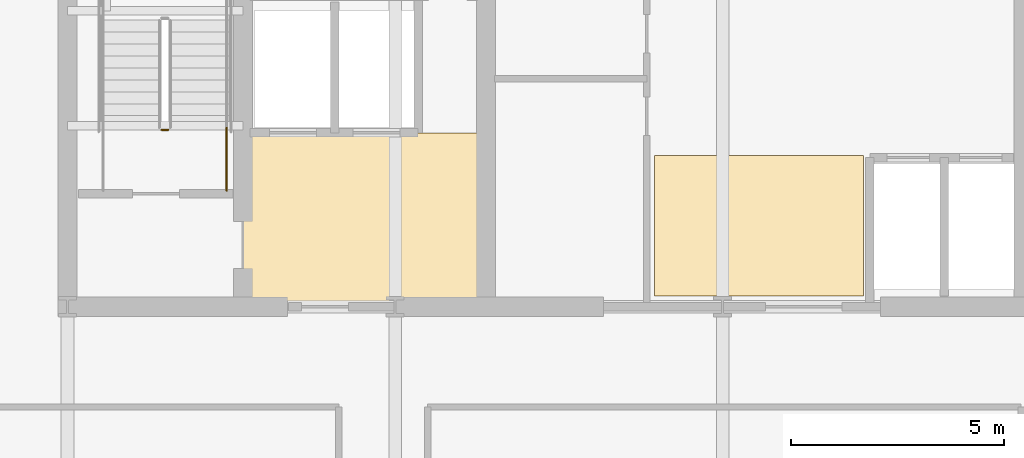
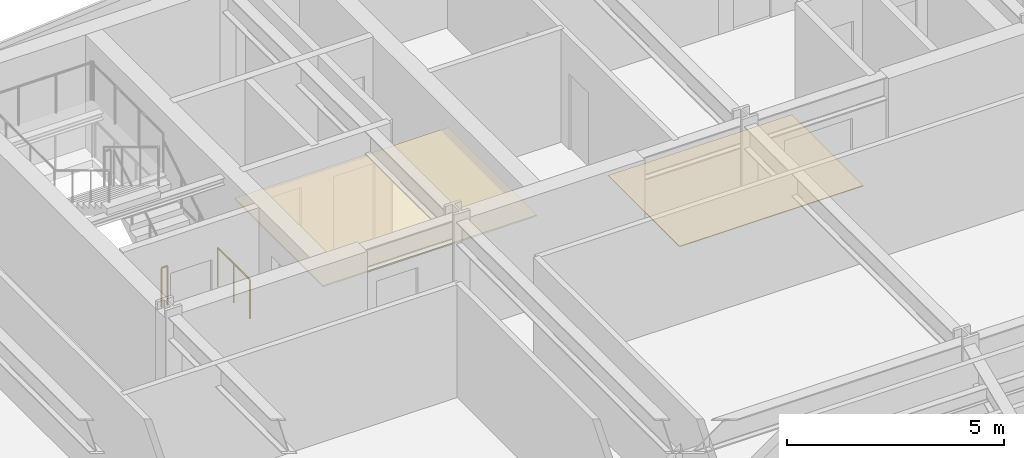
# One storey, part 28 of 32: 2 coverings, 2 railings.
"""IFC4 building model written with IfcOpenShell, lengths in metres."""

from ifc_helpers import new_model, si_unit, direction, frame, origin, origin_2d, place, context, subcontext, project, spatial, polyline, circle, outline, extrude, material, layer, layer_set, type_object, element, save


model = new_model("IFC4")

# Units and contexts
model_context = context("Model", 3, precision=1e-05, world=origin(), true_north=direction((0.0, 1.0)))
body_context = subcontext(model_context, "Body", "Model", "MODEL_VIEW")
ifc_project = project(units=[si_unit("LENGTHUNIT", "METRE"), si_unit("AREAUNIT", "SQUARE_METRE"), si_unit("VOLUMEUNIT", "CUBIC_METRE"), si_unit("PLANEANGLEUNIT", "RADIAN"), si_unit("MASSUNIT", "GRAM", prefix="KILO")], contexts=[model_context])

# Site, building, storey
site_placement = place(None, origin())
site = spatial("IfcSite", under=ifc_project, at=site_placement, CompositionType="ELEMENT")
building_placement = place(site_placement, origin())
building = spatial("IfcBuilding", under=site, at=building_placement, Name="Yelkora Congress Tower", CompositionType="ELEMENT")
storey_placement = place(building_placement, frame((0.0, 0.0, 96.5)))
storey = spatial("IfcBuildingStorey", under=building, at=storey_placement, Name="L25", CompositionType="ELEMENT", Elevation=96.5)

# Coverings
ifc_material_1 = material(Name="Perforated mineral-fibre acoustic ceiling", Category="gypsum")
ifc_layer_1 = layer(ifc_material_1, 0.0400390625)
ifc_layer_set_1 = layer_set([ifc_layer_1], Name="Perforated mineral-fibre acoustic ceiling")
covering_type_1 = type_object("IfcCoveringType", Name="COV-CEIL-ACOUSTIC-40", PredefinedType="CEILING", material=ifc_layer_set_1)
covering_1_placement = place(storey_placement, frame((0.0, 0.0, 2.39990234375)))
element("IfcCovering", 1, at=covering_1_placement, inside=storey, type_object=covering_type_1, Name="L25 Firefighting Lobby Acoustic Ceiling", PredefinedType="CEILING", context=body_context, shape_type="SweptSolid", body=[
    extrude(outline(polyline([(27.14990234375, 35.39990234375), (32.85009765625, 35.39990234375), (32.85009765625, 39.47998046875), (27.14990234375, 39.47998046875), (27.14990234375, 35.39990234375)])), origin(), (0.0, 0.0, 1.0), 0.0400390625),
])
ifc_material_2 = material(Name="Polished Anatolian grey granite tile", Category="masonry")
ifc_layer_2 = layer(ifc_material_2, 0.02001953125)
ifc_layer_set_2 = layer_set([ifc_layer_2], Name="Polished Anatolian grey granite tile")
covering_type_2 = type_object("IfcCoveringType", Name="COV-FLOOR-GRANITE-20", PredefinedType="FLOORING", material=ifc_layer_set_2)
covering_2_placement = place(storey_placement, origin())
element("IfcCovering", 2, at=covering_2_placement, inside=storey, type_object=covering_type_2, Name="L25 Lift Lobby Granite Flooring", PredefinedType="FLOORING", context=body_context, shape_type="SweptSolid", body=[
    extrude(outline(polyline([(36.800048828125, 35.64990234375), (41.699951171875, 35.64990234375), (41.699951171875, 38.949951171875), (36.800048828125, 38.949951171875), (36.800048828125, 35.64990234375)])), origin(), (0.0, 0.0, 1.0), 0.02001953125),
])

# Railings
ifc_material_3 = material(Name="Painted galvanised steel stair well guard with vertical infill", Category="steel")
ifc_layer_3 = layer(ifc_material_3, 0.06005859375)
ifc_layer_set_3 = layer_set([ifc_layer_3], Name="Painted galvanised steel stair well guard with vertical infill")
railing_type = type_object("IfcRailingType", Name="RAIL-STAIR-GUARD-1120", PredefinedType="GUARDRAIL", material=ifc_layer_set_3)
railing_1_placement = place(storey_placement, frame((25.39990234375, 39.550048828125, 0.0)))
element("IfcRailing", 3, at=railing_1_placement, inside=storey, type_object=railing_type, Name="ST-01 L25 Stair Well Guardrail 7", PredefinedType="GUARDRAIL", context=body_context, shape_type="SweptSolid", body=[
    extrude(circle(Radius=0.02392578125, at=origin_2d()), frame((0.0, 0.0, 1.09619140625), z_axis=(-1.0, 0.0, 0.0), x_axis=(0.0, -1.0, 0.0)), (0.0, 0.0, 1.0), 0.159912109375),
    extrude(circle(Radius=0.02099609375, at=origin_2d()), origin(), (0.0, 0.0, 1.0), 1.072021484375),
    extrude(circle(Radius=0.02099609375, at=origin_2d()), frame((-0.159912109375, 0.0, 0.0)), (0.0, 0.0, 1.0), 1.072021484375),
])
railing_2_placement = place(storey_placement, frame((26.77001953125, 38.1201171875, 0.0)))
element("IfcRailing", 4, at=railing_2_placement, inside=storey, type_object=railing_type, Name="ST-01 L25 Stair Well Guardrail 8", PredefinedType="GUARDRAIL", context=body_context, shape_type="SweptSolid", body=[
    extrude(circle(Radius=0.02392578125, at=origin_2d()), frame((0.0, 0.0, 1.09619140625), z_axis=(0.0, 1.0, 0.0), x_axis=(-1.0, 0.0, 0.0)), (0.0, 0.0, 1.0), 1.47998046875),
    extrude(circle(Radius=0.02099609375, at=origin_2d()), origin(), (0.0, 0.0, 1.0), 1.072021484375),
    extrude(circle(Radius=0.02099609375, at=origin_2d()), frame((0.0, 0.739990234375, 0.0)), (0.0, 0.0, 1.0), 1.072021484375),
    extrude(circle(Radius=0.02099609375, at=origin_2d()), frame((0.0, 1.47998046875, 0.0)), (0.0, 0.0, 1.0), 1.072021484375),
])

save(model, "model.ifc")
